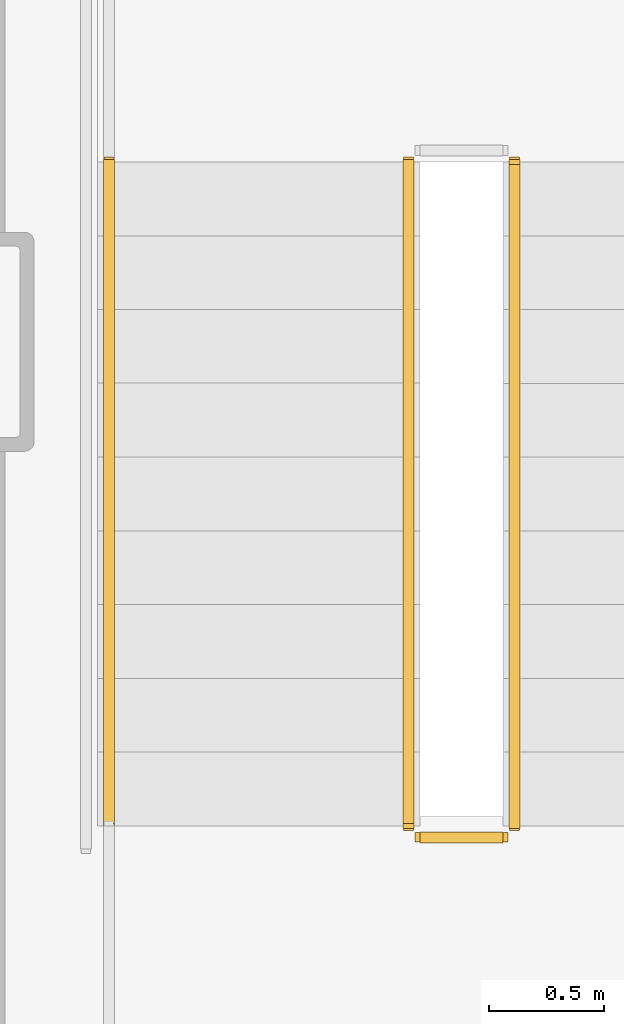
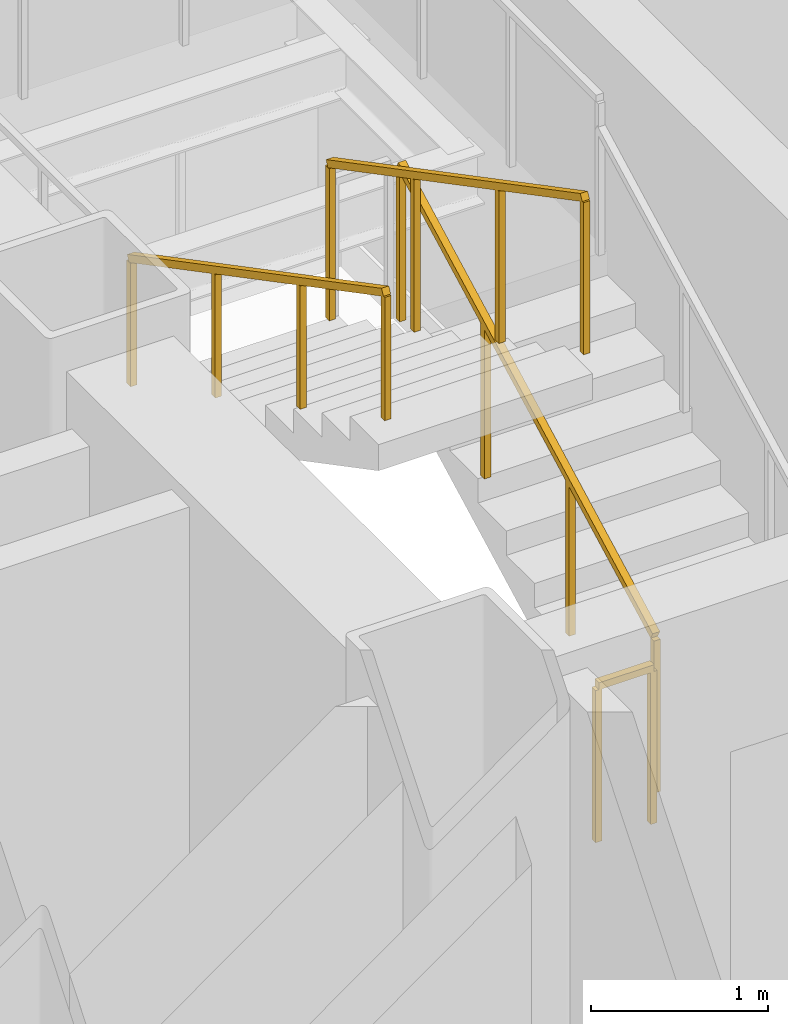
# One storey, part 10 of 13: 4 railings.
"""IFC4 building model written with IfcOpenShell, lengths in metres."""

from ifc_helpers import new_model, si_unit, direction, frame, origin, origin_2d, place, context, subcontext, project, spatial, rectangle, extrude, material, layer, layer_set, type_object, element, save


model = new_model("IFC4")

# Units and contexts
model_context = context("Model", 3, precision=1e-05, world=origin(), true_north=direction((0.0, 1.0)))
body_context = subcontext(model_context, "Body", "Model", "MODEL_VIEW")
ifc_project = project(units=[si_unit("LENGTHUNIT", "METRE"), si_unit("AREAUNIT", "SQUARE_METRE"), si_unit("VOLUMEUNIT", "CUBIC_METRE"), si_unit("PLANEANGLEUNIT", "RADIAN"), si_unit("MASSUNIT", "GRAM", prefix="KILO")], contexts=[model_context])

# Site, building, storey
site_placement = place(None, origin())
site = spatial("IfcSite", under=ifc_project, at=site_placement, CompositionType="ELEMENT")
building_placement = place(site_placement, origin())
building = spatial("IfcBuilding", under=site, at=building_placement, Name="Rocaltana Carrier Exchange", CompositionType="ELEMENT")
storey_placement = place(building_placement, frame((0.0, 0.0, 56.320068359375)))
storey = spatial("IfcBuildingStorey", under=building, at=storey_placement, Name="L17", CompositionType="ELEMENT", Elevation=56.320068359375)

# Railings
ifc_material_1 = material(Name="Brushed Architectural Stainless Tube", Category="steel")
ifc_layer_1 = layer(ifc_material_1, 0.048095703125)
ifc_layer_set_1 = layer_set([ifc_layer_1], Name="Brushed Architectural Stainless Tube")
railing_type_1 = type_object("IfcRailingType", Name="Stair Wall Handrail 920", PredefinedType="HANDRAIL", material=ifc_layer_set_1)
railing_1_placement = place(storey_placement, frame((-5.25, 0.780029296875, 1.847900390625)))
element("IfcRailing", 1, at=railing_1_placement, inside=storey, type_object=railing_type_1, Name="L17 ST-1 stair handrail 2", PredefinedType="HANDRAIL", context=body_context, shape_type="SweptSolid", body=[
    extrude(rectangle(XDim=0.048095703125, YDim=0.048095703125, at=origin_2d()), frame((0.0, 0.0, 0.8759765625), z_axis=(0.0, -0.885411030485, 0.464808893091), x_axis=(1.0, 0.0, 0.0)), (0.0, 0.0, 1.0), 3.2529296875),
    extrude(rectangle(XDim=0.0419921875, YDim=0.0419921875, at=origin_2d()), origin(), (0.0, 0.0, 1.0), 0.851806640625),
    extrude(rectangle(XDim=0.0419921875, YDim=0.0419921875, at=origin_2d()), frame((0.0, -0.9599609375, 0.50390625)), (0.0, 0.0, 1.0), 0.851806640625),
    extrude(rectangle(XDim=0.0419921875, YDim=0.0419921875, at=origin_2d()), frame((0.0, -1.920166015625, 1.008056640625)), (0.0, 0.0, 1.0), 0.851806640625),
    extrude(rectangle(XDim=0.0419921875, YDim=0.0419921875, at=origin_2d()), frame((0.0, -2.880126953125, 1.511962890625)), (0.0, 0.0, 1.0), 0.851806640625),
])
ifc_material_2 = material(Name="Powder-Coated Aluminium 6063-T6", Category="aluminium")
ifc_layer_2 = layer(ifc_material_2, 0.048095703125)
ifc_layer_set_2 = layer_set([ifc_layer_2], Name="Powder-Coated Aluminium 6063-T6")
railing_type_2 = type_object("IfcRailingType", Name="Stair Well Guardrail 1100", PredefinedType="GUARDRAIL", material=ifc_layer_set_2)
railing_2_placement = place(storey_placement, frame((-3.489990234375, -2.10009765625, 0.16796875)))
element("IfcRailing", 2, at=railing_2_placement, inside=storey, type_object=railing_type_2, Name="L17 ST-1 stair guard 1", PredefinedType="GUARDRAIL", context=body_context, shape_type="SweptSolid", body=[
    extrude(rectangle(XDim=0.048095703125, YDim=0.048095703125, at=origin_2d()), frame((0.0, 0.0, 1.076171875), z_axis=(0.0, 0.885411030485, 0.464808893091), x_axis=(-1.0, 0.0, 0.0)), (0.0, 0.0, 1.0), 3.2529296875),
    extrude(rectangle(XDim=0.0419921875, YDim=0.0419921875, at=origin_2d()), origin(), (0.0, 0.0, 1.0), 1.052001953125),
    extrude(rectangle(XDim=0.0419921875, YDim=0.0419921875, at=origin_2d()), frame((0.0, 0.9599609375, 0.50390625)), (0.0, 0.0, 1.0), 1.052001953125),
    extrude(rectangle(XDim=0.0419921875, YDim=0.0419921875, at=origin_2d()), frame((0.0, 1.920166015625, 1.008056640625)), (0.0, 0.0, 1.0), 1.052001953125),
    extrude(rectangle(XDim=0.0419921875, YDim=0.0419921875, at=origin_2d()), frame((0.0, 2.880126953125, 1.511962890625)), (0.0, 0.0, 1.0), 1.052001953125),
])
railing_3_placement = place(storey_placement, frame((-3.949951171875, 0.780029296875, 1.847900390625)))
element("IfcRailing", 3, at=railing_3_placement, inside=storey, type_object=railing_type_2, Name="L17 ST-1 stair guard 6", PredefinedType="GUARDRAIL", context=body_context, shape_type="SweptSolid", body=[
    extrude(rectangle(XDim=0.048095703125, YDim=0.048095703125, at=origin_2d()), frame((0.0, 0.0, 1.076171875), z_axis=(0.0, -0.885411030485, 0.464808893091), x_axis=(1.0, 0.0, 0.0)), (0.0, 0.0, 1.0), 3.2529296875),
    extrude(rectangle(XDim=0.0419921875, YDim=0.0419921875, at=origin_2d()), origin(), (0.0, 0.0, 1.0), 1.052001953125),
    extrude(rectangle(XDim=0.0419921875, YDim=0.0419921875, at=origin_2d()), frame((0.0, -0.9599609375, 0.50390625)), (0.0, 0.0, 1.0), 1.052001953125),
    extrude(rectangle(XDim=0.0419921875, YDim=0.0419921875, at=origin_2d()), frame((0.0, -1.920166015625, 1.008056640625)), (0.0, 0.0, 1.0), 1.052001953125),
    extrude(rectangle(XDim=0.0419921875, YDim=0.0419921875, at=origin_2d()), frame((0.0, -2.880126953125, 1.511962890625)), (0.0, 0.0, 1.0), 1.052001953125),
])
railing_4_placement = place(storey_placement, frame((-3.5400390625, -2.14990234375, 0.0)))
element("IfcRailing", 4, at=railing_4_placement, inside=storey, type_object=railing_type_2, Name="L17 ST-1 stair guard 7", PredefinedType="GUARDRAIL", context=body_context, shape_type="SweptSolid", body=[
    extrude(rectangle(XDim=0.048095703125, YDim=0.048095703125, at=origin_2d()), frame((0.0, 0.0, 1.076171875), z_axis=(-1.0, 0.0, 0.0), x_axis=(0.0, -1.0, 0.0)), (0.0, 0.0, 1.0), 0.35986328125),
    extrude(rectangle(XDim=0.0419921875, YDim=0.0419921875, at=origin_2d()), origin(), (0.0, 0.0, 1.0), 1.052001953125),
    extrude(rectangle(XDim=0.0419921875, YDim=0.0419921875, at=origin_2d()), frame((-0.35986328125, 0.0, 0.0)), (0.0, 0.0, 1.0), 1.052001953125),
])

save(model, "model.ifc")
